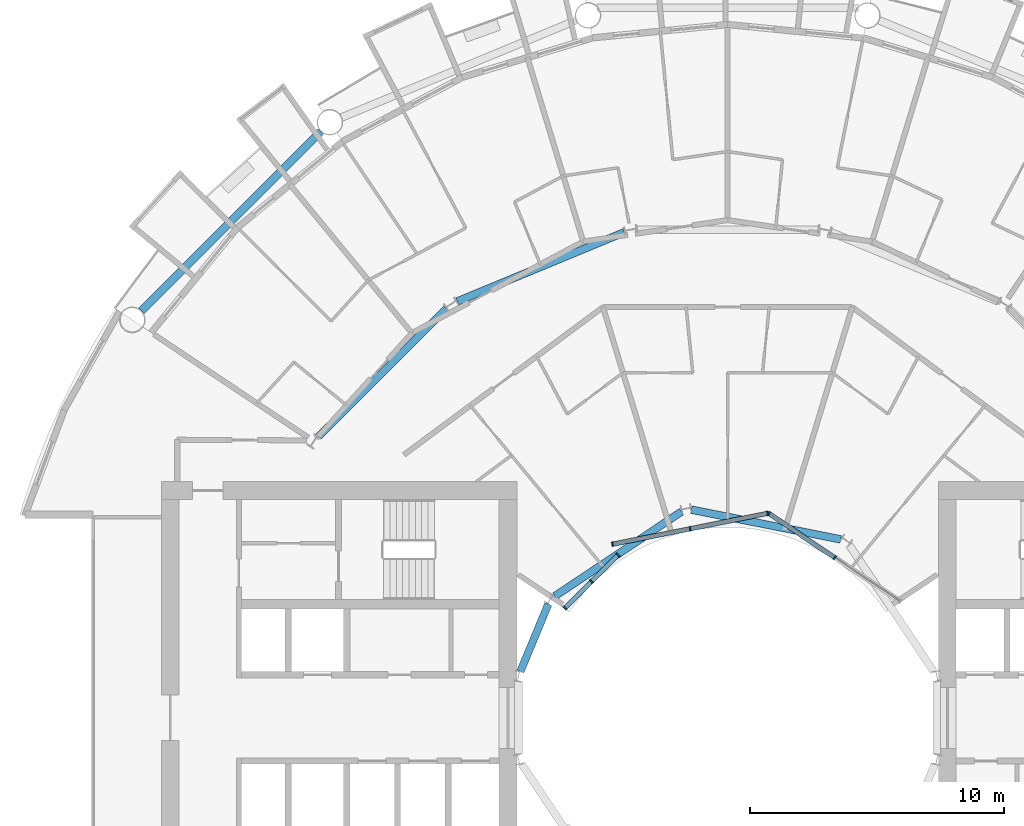
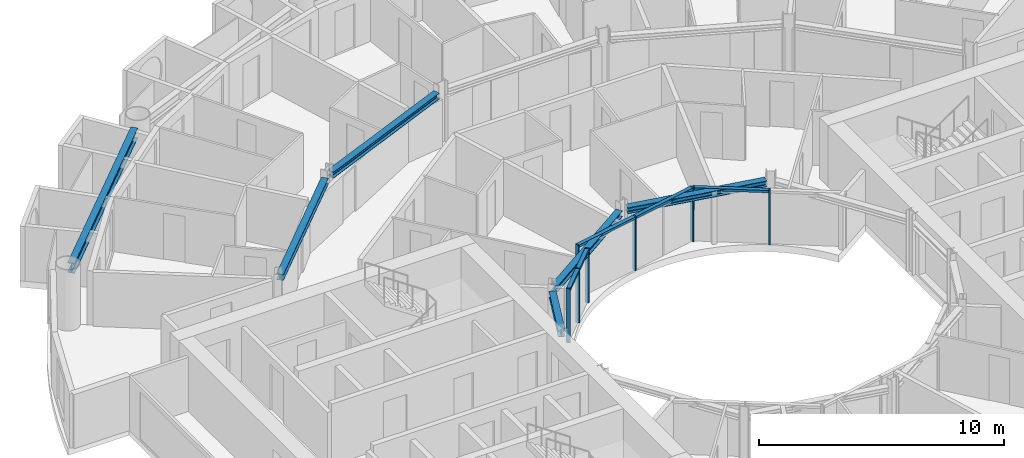
# One storey, part 7 of 26: 13 members, 6 beams, 3 elements without a shape of their own.
"""IFC4 building model written with IfcOpenShell, lengths in metres."""

from ifc_helpers import new_model, si_unit, direction, frame, origin, origin_2d, place, context, subcontext, project, spatial, rectangle, i_section, extrude, material, layer, layer_set, material_profile, profile_set, type_object, element, aggregate, save


model = new_model("IFC4")

# Units and contexts
model_context = context("Model", 3, precision=1e-05, world=origin(), true_north=direction((0.0, 1.0)))
body_context = subcontext(model_context, "Body", "Model", "MODEL_VIEW")
ifc_project = project(units=[si_unit("LENGTHUNIT", "METRE"), si_unit("AREAUNIT", "SQUARE_METRE"), si_unit("VOLUMEUNIT", "CUBIC_METRE"), si_unit("PLANEANGLEUNIT", "RADIAN"), si_unit("MASSUNIT", "GRAM", prefix="KILO")], contexts=[model_context])

# Site, building, storey
site_placement = place(None, origin())
site = spatial("IfcSite", under=ifc_project, at=site_placement, CompositionType="ELEMENT")
building_placement = place(site_placement, origin())
building = spatial("IfcBuilding", under=site, at=building_placement, Name="Maasbend Ring Residences", CompositionType="ELEMENT")
storey_placement = place(building_placement, frame((0.0, 0.0, 78.85009765625)))
storey = spatial("IfcBuildingStorey", under=building, at=storey_placement, Name="L22", CompositionType="ELEMENT", Elevation=78.85009765625)

# Curtain wall, members
ifc_material_1 = material(Name="Aluminium and clear glass", Category="aluminium")
ifc_layer = layer(ifc_material_1, 0.179931640625)
ifc_layer_set = layer_set([ifc_layer], Name="CW-W")
curtain_wall_type = type_object("IfcCurtainWallType", Name="CW-W", PredefinedType="NOTDEFINED", material=ifc_layer_set)
curtain_wall_1_placement = place(storey_placement, origin())
curtain_wall_1 = element("IfcCurtainWall", 1, at=curtain_wall_1_placement, inside=storey, type_object=curtain_wall_type, Name="Well curtain wall N1", PredefinedType="NOTDEFINED")
ifc_material_2 = material(Name="Aluminium 6063-T6", Category="aluminium")
ifc_material_profile_1 = material_profile(ifc_material_2, rectangle(XDim=0.179931640625, YDim=0.06005859375, at=origin_2d()), Name="AL 180x60")
ifc_profile_set_1 = profile_set([ifc_material_profile_1], Name="Aluminium 6063-T6")
member_type_1 = type_object("IfcMemberType", Name="CWM-W", PredefinedType="MULLION", material=ifc_profile_set_1)
member_1_placement = place(storey_placement, frame((4.216796875, 6.310791015625, 0.0), z_axis=(0.0, 0.0, 1.0), x_axis=(-0.55557023302, -0.831469612303, 0.0)))
member_1 = element("IfcMember", 2, at=member_1_placement, type_object=member_type_1, Name="Mullion well face", PredefinedType="MULLION", context=body_context, shape_type="SweptSolid", body=[
    extrude(rectangle(XDim=0.179931640625, YDim=0.06005859375, at=origin_2d()), origin(), (0.0, 0.0, 1.0), 2.699951171875),
])
member_2_placement = place(storey_placement, frame((1.627685546875, 8.040771484375, 0.0), z_axis=(0.0, 0.0, 1.0), x_axis=(-0.55557023302, -0.831469612303, 0.0)))
member_2 = element("IfcMember", 3, at=member_2_placement, type_object=member_type_1, Name="Mullion well face", PredefinedType="MULLION", context=body_context, shape_type="SweptSolid", body=[
    extrude(rectangle(XDim=0.179931640625, YDim=0.06005859375, at=origin_2d()), origin(), (0.0, 0.0, 1.0), 2.699951171875),
])

curtain_wall_2_placement = place(storey_placement, origin())
curtain_wall_2 = element("IfcCurtainWall", 4, at=curtain_wall_2_placement, inside=storey, type_object=curtain_wall_type, Name="Well curtain wall N2", PredefinedType="NOTDEFINED")
member_3_placement = place(storey_placement, frame((1.5732421875, 8.0517578125, 0.0), z_axis=(0.0, 0.0, 1.0), x_axis=(0.195090322016, -0.980785280403, 0.0)))
member_3 = element("IfcMember", 5, at=member_3_placement, type_object=member_type_1, Name="Mullion well face", PredefinedType="MULLION", context=body_context, shape_type="SweptSolid", body=[
    extrude(rectangle(XDim=0.179931640625, YDim=0.06005859375, at=origin_2d()), origin(), (0.0, 0.0, 1.0), 2.699951171875),
])
member_4_placement = place(storey_placement, frame((-1.480712890625, 7.444091796875, 0.0), z_axis=(0.0, 0.0, 1.0), x_axis=(0.195090322016, -0.980785280403, 0.0)))
member_4 = element("IfcMember", 6, at=member_4_placement, type_object=member_type_1, Name="Mullion well face", PredefinedType="MULLION", context=body_context, shape_type="SweptSolid", body=[
    extrude(rectangle(XDim=0.179931640625, YDim=0.06005859375, at=origin_2d()), origin(), (0.0, 0.0, 1.0), 2.699951171875),
])
member_5_placement = place(storey_placement, frame((-4.53466796875, 6.836669921875, 0.0), z_axis=(0.0, 0.0, 1.0), x_axis=(0.195090322016, -0.980785280403, 0.0)))
member_5 = element("IfcMember", 7, at=member_5_placement, type_object=member_type_1, Name="Mullion well face", PredefinedType="MULLION", context=body_context, shape_type="SweptSolid", body=[
    extrude(rectangle(XDim=0.179931640625, YDim=0.06005859375, at=origin_2d()), origin(), (0.0, 0.0, 1.0), 2.699951171875),
])

curtain_wall_3_placement = place(storey_placement, origin())
curtain_wall_3 = element("IfcCurtainWall", 8, at=curtain_wall_3_placement, inside=storey, type_object=curtain_wall_type, Name="Well curtain wall N3", PredefinedType="NOTDEFINED")
member_6_placement = place(storey_placement, frame((-4.320556640625, 6.413330078125, 0.0), z_axis=(0.0, 0.0, 1.0), x_axis=(0.707106781187, -0.707106781187, 0.0)))
member_6 = element("IfcMember", 9, at=member_6_placement, type_object=member_type_1, Name="Mullion well face", PredefinedType="MULLION", context=body_context, shape_type="SweptSolid", body=[
    extrude(rectangle(XDim=0.179931640625, YDim=0.06005859375, at=origin_2d()), origin(), (0.0, 0.0, 1.0), 2.699951171875),
])
member_7_placement = place(storey_placement, frame((-5.366943359375, 5.366943359375, 0.0), z_axis=(0.0, 0.0, 1.0), x_axis=(0.707106781187, -0.707106781187, 0.0)))
member_7 = element("IfcMember", 10, at=member_7_placement, type_object=member_type_1, Name="Mullion well face", PredefinedType="MULLION", context=body_context, shape_type="SweptSolid", body=[
    extrude(rectangle(XDim=0.179931640625, YDim=0.06005859375, at=origin_2d()), origin(), (0.0, 0.0, 1.0), 2.699951171875),
])
member_8_placement = place(storey_placement, frame((-6.413330078125, 4.320556640625, 0.0), z_axis=(0.0, 0.0, 1.0), x_axis=(0.707106781187, -0.707106781187, 0.0)))
member_8 = element("IfcMember", 11, at=member_8_placement, type_object=member_type_1, Name="Mullion well face", PredefinedType="MULLION", context=body_context, shape_type="SweptSolid", body=[
    extrude(rectangle(XDim=0.179931640625, YDim=0.06005859375, at=origin_2d()), origin(), (0.0, 0.0, 1.0), 2.699951171875),
])

# Member
ifc_material_3 = material(Name="Aluminium 6063-T6", Category="aluminium")
ifc_material_profile_2 = material_profile(ifc_material_3, rectangle(XDim=0.179931640625, YDim=0.1201171875, at=origin_2d()), Name="AL 180x120")
ifc_profile_set_2 = profile_set([ifc_material_profile_2], Name="Aluminium 6063-T6")
member_type_2 = type_object("IfcMemberType", Name="CWT-W", PredefinedType="USERDEFINED", material=ifc_profile_set_2)
member_9_placement = place(storey_placement, frame((4.19189453125, 6.32763671875, 2.639892578125), z_axis=(-0.831496422459, 0.555530106689, 0.0), x_axis=(-0.555530106689, -0.831496422459, 0.0)))
member_9 = element("IfcMember", 12, at=member_9_placement, type_object=member_type_2, Name="Transom well face", ObjectType="TRANSOM", PredefinedType="USERDEFINED", context=body_context, shape_type="SweptSolid", body=[
    extrude(rectangle(XDim=0.179931640625, YDim=0.1201171875, at=origin_2d()), origin(), (0.0, 0.0, 1.0), 3.053955078125),
])

aggregate(curtain_wall_1, [member_1, member_2, member_9])

member_10_placement = place(storey_placement, frame((1.5439453125, 8.0458984375, 2.639892578125), z_axis=(-0.980776956105, -0.195132166424, 0.0), x_axis=(0.195132166424, -0.980776956105, 0.0)))
member_10 = element("IfcMember", 13, at=member_10_placement, type_object=member_type_2, Name="Transom well face", ObjectType="TRANSOM", PredefinedType="USERDEFINED", context=body_context, shape_type="SweptSolid", body=[
    extrude(rectangle(XDim=0.179931640625, YDim=0.1201171875, at=origin_2d()), origin(), (0.0, 0.0, 1.0), 3.053955078125),
])

member_11_placement = place(storey_placement, frame((-1.51025390625, 7.438232421875, 2.639892578125), z_axis=(-0.980789210404, -0.19507056353, 0.0), x_axis=(0.19507056353, -0.980789210404, 0.0)))
member_11 = element("IfcMember", 14, at=member_11_placement, type_object=member_type_2, Name="Transom well face", ObjectType="TRANSOM", PredefinedType="USERDEFINED", context=body_context, shape_type="SweptSolid", body=[
    extrude(rectangle(XDim=0.179931640625, YDim=0.1201171875, at=origin_2d()), origin(), (0.0, 0.0, 1.0), 3.0537109375),
])

aggregate(curtain_wall_2, [member_3, member_4, member_5, member_10, member_11])

member_12_placement = place(storey_placement, frame((-4.341796875, 6.39208984375, 2.639892578125), z_axis=(-0.707106781187, -0.707106781187, 0.0), x_axis=(0.707106781187, -0.707106781187, 0.0)))
member_12 = element("IfcMember", 15, at=member_12_placement, type_object=member_type_2, Name="Transom well face", ObjectType="TRANSOM", PredefinedType="USERDEFINED", context=body_context, shape_type="SweptSolid", body=[
    extrude(rectangle(XDim=0.179931640625, YDim=0.1201171875, at=origin_2d()), origin(), (0.0, 0.0, 1.0), 1.419677734375),
])

member_13_placement = place(storey_placement, frame((-5.38818359375, 5.345703125, 2.639892578125), z_axis=(-0.707106781187, -0.707106781187, 0.0), x_axis=(0.707106781187, -0.707106781187, 0.0)))
member_13 = element("IfcMember", 16, at=member_13_placement, type_object=member_type_2, Name="Transom well face", ObjectType="TRANSOM", PredefinedType="USERDEFINED", context=body_context, shape_type="SweptSolid", body=[
    extrude(rectangle(XDim=0.179931640625, YDim=0.1201171875, at=origin_2d()), origin(), (0.0, 0.0, 1.0), 1.419677734375),
])

aggregate(curtain_wall_3, [member_6, member_7, member_8, member_12, member_13])

# Beams
ifc_material_4 = material(Name="Steel S355J2", Category="steel")
ifc_material_profile_3 = material_profile(ifc_material_4, i_section(OverallWidth=0.300048828125, OverallDepth=0.300048828125, WebThickness=0.010986328125, FlangeThickness=0.01904296875, FilletRadius=0.027099609375, at=origin_2d()), Name="HEB 300")
ifc_profile_set_3 = profile_set([ifc_material_profile_3], Name="Steel S355J2")
beam_type_1 = type_object("IfcBeamType", Name="Corridor ring beam HEB 300", PredefinedType="BEAM", material=ifc_profile_set_3)
for number, where, z_axis, x_axis, name in (
    (17, (-4.070556640625, 19.12109375, 2.5498046875), (-0.923877113721, -0.382689271788, 0.0), (0.382689271788, -0.923877113721, 0.0), "Corridor ring beam"),
    (18, (-11.078125, 16.10791015625, 2.5498046875), (-0.707106781187, -0.707106781187, 0.0), (0.707106781187, -0.707106781187, 0.0), "Corridor ring beam"),
):
    element("IfcBeam", number, at=place(storey_placement, frame(where, z_axis=z_axis, x_axis=x_axis)), inside=storey, type_object=beam_type_1, Name=name, PredefinedType="BEAM", context=body_context, shape_type="SweptSolid", body=[
        extrude(i_section(OverallWidth=0.300048828125, OverallDepth=0.300048828125, WebThickness=0.010986328125, FlangeThickness=0.01904296875, FilletRadius=0.027099609375, at=origin_2d()), origin(), (0.0, 0.0, 1.0), 7.11328125),
    ])
ifc_material_5 = material(Name="Steel S355J2", Category="steel")
ifc_material_profile_4 = material_profile(ifc_material_5, i_section(OverallWidth=0.300048828125, OverallDepth=0.5, WebThickness=0.014404296875, FlangeThickness=0.028076171875, FilletRadius=0.027099609375, at=origin_2d()), Name="HEB 500")
ifc_profile_set_4 = profile_set([ifc_material_profile_4], Name="Steel S355J2")
beam_type_2 = type_object("IfcBeamType", Name="Spandrel ring beam HEB 500", PredefinedType="SPANDREL", material=ifc_profile_set_4)
beam_1_placement = place(storey_placement, frame((-16.0263671875, 23.088134765625, 2.449951171875), z_axis=(-0.707106781187, -0.707106781187, 0.0), x_axis=(0.707106781187, -0.707106781187, 0.0)))
element("IfcBeam", 19, at=beam_1_placement, inside=storey, type_object=beam_type_2, Name="Spandrel ring beam", PredefinedType="SPANDREL", context=body_context, shape_type="SweptSolid", body=[
    extrude(i_section(OverallWidth=0.300048828125, OverallDepth=0.5, WebThickness=0.014404296875, FlangeThickness=0.028076171875, FilletRadius=0.027099609375, at=origin_2d()), origin(), (0.0, 0.0, 1.0), 9.98681640625),
])
ifc_material_6 = material(Name="Steel S355J2", Category="steel")
ifc_material_profile_5 = material_profile(ifc_material_6, i_section(OverallWidth=0.300048828125, OverallDepth=0.300048828125, WebThickness=0.010986328125, FlangeThickness=0.01904296875, FilletRadius=0.027099609375, at=origin_2d()), Name="HEB 300")
ifc_profile_set_5 = profile_set([ifc_material_profile_5], Name="Steel S355J2")
beam_type_3 = type_object("IfcBeamType", Name="Well edge beam HEB 300", PredefinedType="BEAM", material=ifc_profile_set_5)
beam_2_placement = place(storey_placement, frame((4.45458984375, 7.026611328125, 2.5498046875), z_axis=(-0.980789954577, 0.195066821885, 0.0), x_axis=(-0.195066821885, -0.980789954577, 0.0)))
element("IfcBeam", 20, at=beam_2_placement, inside=storey, type_object=beam_type_3, Name="Well edge beam", PredefinedType="BEAM", context=body_context, shape_type="SweptSolid", body=[
    extrude(i_section(OverallWidth=0.300048828125, OverallDepth=0.300048828125, WebThickness=0.010986328125, FlangeThickness=0.01904296875, FilletRadius=0.027099609375, at=origin_2d()), origin(), (0.0, 0.0, 1.0), 5.996337890625),
])
beam_3_placement = place(storey_placement, frame((-1.81884765625, 8.118408203125, 2.5498046875), z_axis=(-0.83145471117, -0.555592533493, 0.0), x_axis=(0.555592533493, -0.83145471117, 0.0)))
element("IfcBeam", 21, at=beam_3_placement, inside=storey, type_object=beam_type_3, Name="Well edge beam", PredefinedType="BEAM", context=body_context, shape_type="SweptSolid", body=[
    extrude(i_section(OverallWidth=0.300048828125, OverallDepth=0.300048828125, WebThickness=0.010986328125, FlangeThickness=0.01904296875, FilletRadius=0.027099609375, at=origin_2d()), origin(), (0.0, 0.0, 1.0), 5.995849609375),
])
beam_4_placement = place(storey_placement, frame((-7.062255859375, 4.478515625, 2.5498046875), z_axis=(-0.382729955172, -0.923860260761, 0.0), x_axis=(0.923860260761, -0.382729955172, 0.0)))
element("IfcBeam", 22, at=beam_4_placement, inside=storey, type_object=beam_type_3, Name="Well edge beam", PredefinedType="BEAM", context=body_context, shape_type="SweptSolid", body=[
    extrude(i_section(OverallWidth=0.300048828125, OverallDepth=0.300048828125, WebThickness=0.010986328125, FlangeThickness=0.01904296875, FilletRadius=0.027099609375, at=origin_2d()), origin(), (0.0, 0.0, 1.0), 2.869873046875),
])

save(model, "model.ifc")
